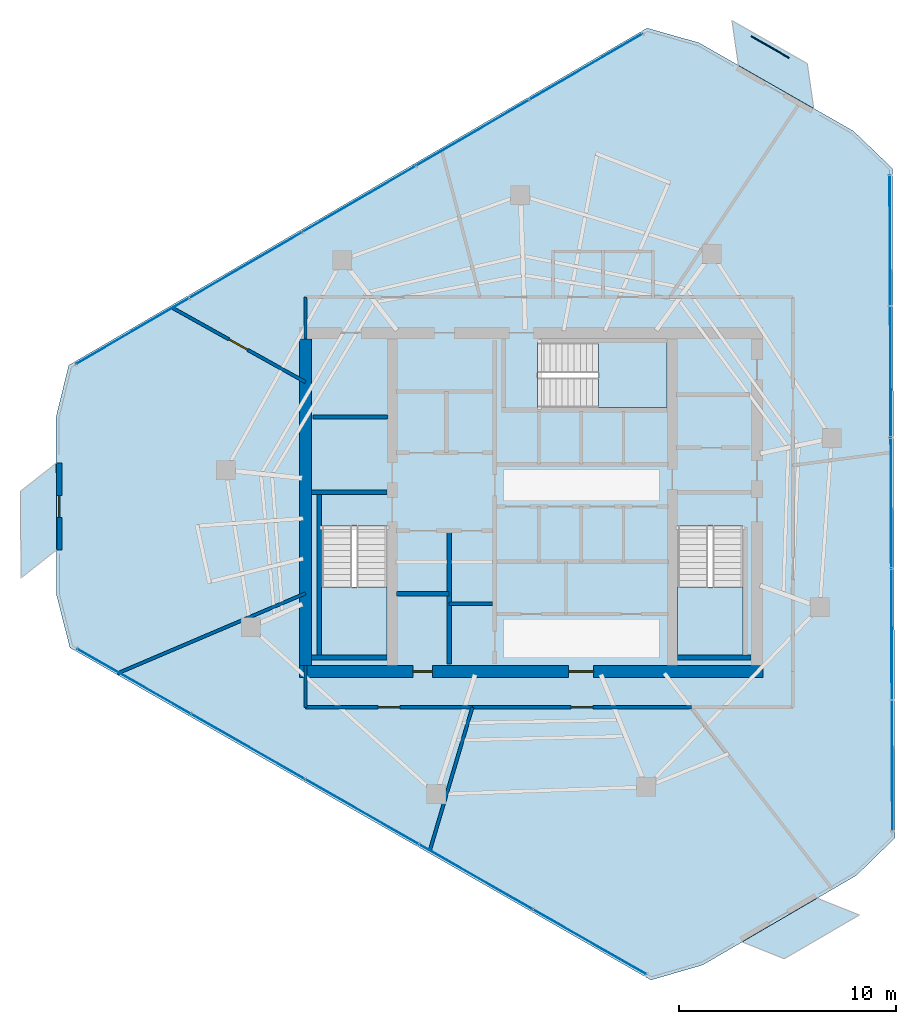
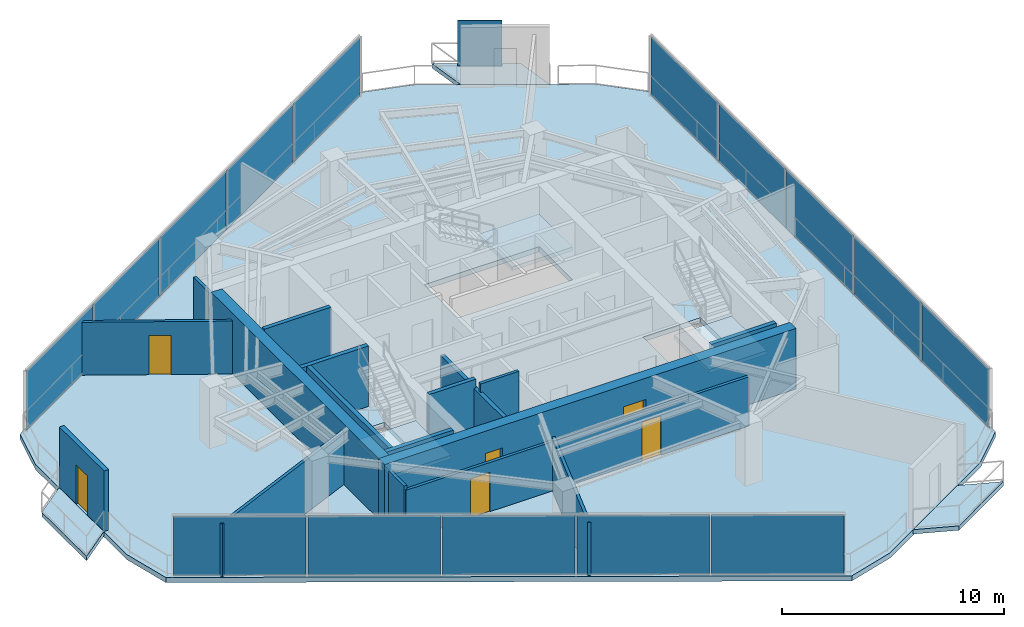
# One storey, part 14 of 19: 18 walls, 16 plates, 7 slabs, 6 doors, 6 openings, 6 elements without a shape of their own.
"""IFC4 building model written with IfcOpenShell, lengths in metres."""

from ifc_helpers import new_model, si_unit, direction, frame, frame_2d, origin, origin_2d, place, context, subcontext, project, spatial, polyline, rectangle, outline, extrude, material, layer, layer_set, type_object, element, fill, aggregate, save


model = new_model("IFC4")

# Units and contexts
model_context = context("Model", 3, precision=1e-05, world=origin(), true_north=direction((0.0, 1.0)))
body_context = subcontext(model_context, "Body", "Model", "MODEL_VIEW")
ifc_project = project(units=[si_unit("LENGTHUNIT", "METRE"), si_unit("AREAUNIT", "SQUARE_METRE"), si_unit("VOLUMEUNIT", "CUBIC_METRE"), si_unit("PLANEANGLEUNIT", "RADIAN"), si_unit("MASSUNIT", "GRAM", prefix="KILO")], contexts=[model_context])

# Site, building, storey
site_placement = place(None, origin())
site = spatial("IfcSite", under=ifc_project, at=site_placement, CompositionType="ELEMENT")
building_placement = place(site_placement, origin())
building = spatial("IfcBuilding", under=site, at=building_placement, Name="Qarnah Convention Tower", CompositionType="ELEMENT")
storey_placement = place(building_placement, frame((0.0, 0.0, 180.60009765625)))
storey = spatial("IfcBuildingStorey", under=building, at=storey_placement, Name="L48", CompositionType="ELEMENT", Elevation=180.60009765625)

# Curtain wall, plates
ifc_material_1 = material(Name="Tempered Low-E dark glass", Category="glass")
ifc_layer_1 = layer(ifc_material_1, 0.174072265625)
ifc_layer_set_1 = layer_set([ifc_layer_1], Name="Tempered Low-E dark glass")
curtain_wall_type = type_object("IfcCurtainWallType", Name="CWS-04", PredefinedType="NOTDEFINED", material=ifc_layer_set_1)
curtain_wall_1_placement = place(storey_placement, origin())
curtain_wall_1 = element("IfcCurtainWall", 1, at=curtain_wall_1_placement, inside=storey, type_object=curtain_wall_type, Name="L48 unitised curtain wall CW-L48-F1", PredefinedType="NOTDEFINED")
ifc_layer_2 = layer(ifc_material_1, 0.033935546875)
ifc_layer_set_2 = layer_set([ifc_layer_2], Name="Tempered Low-E dark glass")
plate_type_1 = type_object("IfcPlateType", Name="PNL-T4", PredefinedType="CURTAIN_PANEL", material=ifc_layer_set_2)
plate_1_placement = place(storey_placement, frame((39.894287109375, 6.1416015625, 0.0400390625), z_axis=(0.0, 0.0, 1.0), x_axis=(-0.868118952408, 0.496356207245, 0.0)))
plate_1 = element("IfcPlate", 2, at=plate_1_placement, type_object=plate_type_1, Name="CW-L48-F1 curtain panel 1.1", PredefinedType="CURTAIN_PANEL", context=body_context, shape_type="SweptSolid", body=[
    extrude(rectangle(XDim=5.966796875, YDim=0.033935546875, at=origin_2d()), origin(), (0.0, 0.0, 1.0), 3.239990234375),
])
plate_2_placement = place(storey_placement, frame((34.64501953125, 9.14306640625, 0.0400390625), z_axis=(0.0, 0.0, 1.0), x_axis=(-0.868118952408, 0.496356207245, 0.0)))
plate_2 = element("IfcPlate", 3, at=plate_2_placement, type_object=plate_type_1, Name="CW-L48-F1 curtain panel 2.1", PredefinedType="CURTAIN_PANEL", context=body_context, shape_type="SweptSolid", body=[
    extrude(rectangle(XDim=5.966796875, YDim=0.033935546875, at=origin_2d()), origin(), (0.0, 0.0, 1.0), 3.239990234375),
])
plate_3_placement = place(storey_placement, frame((29.3955078125, 12.14453125, 0.0400390625), z_axis=(0.0, 0.0, 1.0), x_axis=(-0.868118952408, 0.496356207245, 0.0)))
plate_3 = element("IfcPlate", 4, at=plate_3_placement, type_object=plate_type_1, Name="CW-L48-F1 curtain panel 3.1", PredefinedType="CURTAIN_PANEL", context=body_context, shape_type="SweptSolid", body=[
    extrude(rectangle(XDim=5.966796875, YDim=0.033935546875, at=origin_2d()), origin(), (0.0, 0.0, 1.0), 3.239990234375),
])
plate_4_placement = place(storey_placement, frame((24.14599609375, 15.14599609375, 0.0400390625), z_axis=(0.0, 0.0, 1.0), x_axis=(-0.868118952408, 0.496356207245, 0.0)))
plate_4 = element("IfcPlate", 5, at=plate_4_placement, type_object=plate_type_1, Name="CW-L48-F1 curtain panel 4.1", PredefinedType="CURTAIN_PANEL", context=body_context, shape_type="SweptSolid", body=[
    extrude(rectangle(XDim=5.966796875, YDim=0.033935546875, at=origin_2d()), origin(), (0.0, 0.0, 1.0), 3.239990234375),
])
plate_5_placement = place(storey_placement, frame((18.896728515625, 18.147216796875, 0.0400390625), z_axis=(0.0, 0.0, 1.0), x_axis=(-0.868118952408, 0.496356207245, 0.0)))
plate_5 = element("IfcPlate", 6, at=plate_5_placement, type_object=plate_type_1, Name="CW-L48-F1 curtain panel 5.1", PredefinedType="CURTAIN_PANEL", context=body_context, shape_type="SweptSolid", body=[
    extrude(rectangle(XDim=5.966796875, YDim=0.033935546875, at=origin_2d()), origin(), (0.0, 0.0, 1.0), 3.239990234375),
])
aggregate(curtain_wall_1, [plate_1, plate_2, plate_3, plate_4, plate_5])

curtain_wall_2_placement = place(storey_placement, origin())
curtain_wall_2 = element("IfcCurtainWall", 7, at=curtain_wall_2_placement, inside=storey, type_object=curtain_wall_type, Name="L48 unitised curtain wall CW-L48-F2", PredefinedType="NOTDEFINED")
plate_6_placement = place(storey_placement, frame((53.728759765625, 38.45361328125, 0.0400390625), z_axis=(0.0, 0.0, 1.0), x_axis=(0.004200384293, -0.999991178347, 0.0)))
plate_6 = element("IfcPlate", 8, at=plate_6_placement, type_object=plate_type_1, Name="CW-L48-F2 curtain panel 1.1", PredefinedType="CURTAIN_PANEL", context=body_context, shape_type="SweptSolid", body=[
    extrude(rectangle(XDim=5.967041015625, YDim=0.033935546875, at=origin_2d()), origin(), (0.0, 0.0, 1.0), 3.239990234375),
])
plate_7_placement = place(storey_placement, frame((53.754150390625, 32.406494140625, 0.0400390625), z_axis=(0.0, 0.0, 1.0), x_axis=(0.004200384293, -0.999991178347, 0.0)))
plate_7 = element("IfcPlate", 9, at=plate_7_placement, type_object=plate_type_1, Name="CW-L48-F2 curtain panel 2.1", PredefinedType="CURTAIN_PANEL", context=body_context, shape_type="SweptSolid", body=[
    extrude(rectangle(XDim=5.967041015625, YDim=0.033935546875, at=origin_2d()), origin(), (0.0, 0.0, 1.0), 3.239990234375),
])
plate_8_placement = place(storey_placement, frame((53.779541015625, 26.359619140625, 0.0400390625), z_axis=(0.0, 0.0, 1.0), x_axis=(0.004200384293, -0.999991178347, 0.0)))
plate_8 = element("IfcPlate", 10, at=plate_8_placement, type_object=plate_type_1, Name="CW-L48-F2 curtain panel 3.1", PredefinedType="CURTAIN_PANEL", context=body_context, shape_type="SweptSolid", body=[
    extrude(rectangle(XDim=5.967041015625, YDim=0.033935546875, at=origin_2d()), origin(), (0.0, 0.0, 1.0), 3.239990234375),
])
plate_9_placement = place(storey_placement, frame((53.804931640625, 20.3125, 0.0400390625), z_axis=(0.0, 0.0, 1.0), x_axis=(0.004200384293, -0.999991178347, 0.0)))
plate_9 = element("IfcPlate", 11, at=plate_9_placement, type_object=plate_type_1, Name="CW-L48-F2 curtain panel 4.1", PredefinedType="CURTAIN_PANEL", context=body_context, shape_type="SweptSolid", body=[
    extrude(rectangle(XDim=5.967041015625, YDim=0.033935546875, at=origin_2d()), origin(), (0.0, 0.0, 1.0), 3.239990234375),
])
plate_10_placement = place(storey_placement, frame((53.830322265625, 14.265380859375, 0.0400390625), z_axis=(0.0, 0.0, 1.0), x_axis=(0.004200384293, -0.999991178347, 0.0)))
plate_10 = element("IfcPlate", 12, at=plate_10_placement, type_object=plate_type_1, Name="CW-L48-F2 curtain panel 5.1", PredefinedType="CURTAIN_PANEL", context=body_context, shape_type="SweptSolid", body=[
    extrude(rectangle(XDim=5.967041015625, YDim=0.033935546875, at=origin_2d()), origin(), (0.0, 0.0, 1.0), 3.239990234375),
])
aggregate(curtain_wall_2, [plate_6, plate_7, plate_8, plate_9, plate_10])

curtain_wall_3_placement = place(storey_placement, origin())
curtain_wall_3 = element("IfcCurtainWall", 13, at=curtain_wall_3_placement, inside=storey, type_object=curtain_wall_type, Name="L48 unitised curtain wall CW-L48-F3", PredefinedType="NOTDEFINED")
plate_11_placement = place(storey_placement, frame((18.829833984375, 34.277587890625, 0.0400390625), z_axis=(0.0, 0.0, 1.0), x_axis=(0.863909634333, 0.503646844234, 0.0)))
plate_11 = element("IfcPlate", 14, at=plate_11_placement, type_object=plate_type_1, Name="CW-L48-F3 curtain panel 1.1", PredefinedType="CURTAIN_PANEL", context=body_context, shape_type="SweptSolid", body=[
    extrude(rectangle(XDim=5.966796875, YDim=0.033935546875, at=origin_2d()), origin(), (0.0, 0.0, 1.0), 3.239990234375),
])
plate_12_placement = place(storey_placement, frame((24.0537109375, 37.322998046875, 0.0400390625), z_axis=(0.0, 0.0, 1.0), x_axis=(0.863909634333, 0.503646844234, 0.0)))
plate_12 = element("IfcPlate", 15, at=plate_12_placement, type_object=plate_type_1, Name="CW-L48-F3 curtain panel 2.1", PredefinedType="CURTAIN_PANEL", context=body_context, shape_type="SweptSolid", body=[
    extrude(rectangle(XDim=5.966796875, YDim=0.033935546875, at=origin_2d()), origin(), (0.0, 0.0, 1.0), 3.239990234375),
])
plate_13_placement = place(storey_placement, frame((29.277587890625, 40.368408203125, 0.0400390625), z_axis=(0.0, 0.0, 1.0), x_axis=(0.863909634333, 0.503646844234, 0.0)))
plate_13 = element("IfcPlate", 16, at=plate_13_placement, type_object=plate_type_1, Name="CW-L48-F3 curtain panel 3.1", PredefinedType="CURTAIN_PANEL", context=body_context, shape_type="SweptSolid", body=[
    extrude(rectangle(XDim=5.966796875, YDim=0.033935546875, at=origin_2d()), origin(), (0.0, 0.0, 1.0), 3.239990234375),
])
plate_14_placement = place(storey_placement, frame((34.501220703125, 43.413818359375, 0.0400390625), z_axis=(0.0, 0.0, 1.0), x_axis=(0.863909634333, 0.503646844234, 0.0)))
plate_14 = element("IfcPlate", 17, at=plate_14_placement, type_object=plate_type_1, Name="CW-L48-F3 curtain panel 4.1", PredefinedType="CURTAIN_PANEL", context=body_context, shape_type="SweptSolid", body=[
    extrude(rectangle(XDim=5.966796875, YDim=0.033935546875, at=origin_2d()), origin(), (0.0, 0.0, 1.0), 3.239990234375),
])
plate_15_placement = place(storey_placement, frame((39.72509765625, 46.459228515625, 0.0400390625), z_axis=(0.0, 0.0, 1.0), x_axis=(0.863909634333, 0.503646844234, 0.0)))
plate_15 = element("IfcPlate", 18, at=plate_15_placement, type_object=plate_type_1, Name="CW-L48-F3 curtain panel 5.1", PredefinedType="CURTAIN_PANEL", context=body_context, shape_type="SweptSolid", body=[
    extrude(rectangle(XDim=5.966796875, YDim=0.033935546875, at=origin_2d()), origin(), (0.0, 0.0, 1.0), 3.239990234375),
])
aggregate(curtain_wall_3, [plate_11, plate_12, plate_13, plate_14, plate_15])

# Plate
ifc_material_2 = material(Name="Black anodised aluminium", Category="aluminium")
ifc_layer_3 = layer(ifc_material_2, 0.044921875)
ifc_layer_set_3 = layer_set([ifc_layer_3], Name="Black anodised aluminium")
plate_type_2 = type_object("IfcPlateType", Name="SCR-BAL-18", PredefinedType="USERDEFINED", material=ifc_layer_set_3)
plate_16_placement = place(storey_placement, frame((48.216064453125, 47.35888671875, 0.0), z_axis=(0.0, 0.0, 1.0), x_axis=(0.868089669788, -0.496407418566, 0.0)))
element("IfcPlate", 19, at=plate_16_placement, inside=storey, type_object=plate_type_2, Name="L48 perforated desert solar screen BAL-L48-C1", ObjectType="SCREEN", PredefinedType="USERDEFINED", context=body_context, shape_type="SweptSolid", body=[
    extrude(rectangle(XDim=2.0, YDim=0.044921875, at=origin_2d()), origin(), (0.0, 0.0, 1.0), 2.5),
])

# Slabs
ifc_material_3 = material(Name="Concrete C45/55", Category="concrete")
ifc_layer_4 = layer(ifc_material_3, 0.239990234375)
ifc_layer_set_4 = layer_set([ifc_layer_4], Name="Concrete C45/55")
slab_type_1 = type_object("IfcSlabType", Name="SLB-BAL-240", PredefinedType="USERDEFINED", material=ifc_layer_set_4)
slab_1_placement = place(storey_placement, frame((0.0, 0.0, -0.239990234375)))
element("IfcSlab", 20, at=slab_1_placement, inside=storey, type_object=slab_type_1, Name="L48 cantilevered balcony slab BAL-L48-C1", ObjectType="BALCONY", PredefinedType="USERDEFINED", context=body_context, shape_type="SweptSolid", body=[
    extrude(outline(polyline([(46.445068359375, 48.590087890625), (49.91796875, 46.60400390625), (50.218017578125, 44.533935546875), (46.7451171875, 46.51904296875), (46.445068359375, 48.590087890625)])), origin(), (0.0, 0.0, 1.0), 0.239990234375),
])
slab_2_placement = place(storey_placement, frame((0.0, 0.0, -0.239990234375)))
element("IfcSlab", 21, at=slab_2_placement, inside=storey, type_object=slab_type_1, Name="L48 cantilevered balcony slab BAL-L48-C2", ObjectType="BALCONY", PredefinedType="USERDEFINED", context=body_context, shape_type="SweptSolid", body=[
    extrude(outline(polyline([(13.69189453125, 22.902099609375), (13.675048828125, 26.902099609375), (15.319091796875, 28.197021484375), (15.3349609375, 24.197021484375), (13.69189453125, 22.902099609375)])), origin(), (0.0, 0.0, 1.0), 0.239990234375),
])
slab_3_placement = place(storey_placement, frame((0.0, 0.0, -0.239990234375)))
element("IfcSlab", 22, at=slab_3_placement, inside=storey, type_object=slab_type_1, Name="L48 cantilevered balcony slab BAL-L48-C3", ObjectType="BALCONY", PredefinedType="USERDEFINED", context=body_context, shape_type="SweptSolid", body=[
    extrude(outline(polyline([(52.31494140625, 7.381103515625), (48.85888671875, 5.365966796875), (46.916015625, 6.14208984375), (50.37109375, 8.156005859375), (52.31494140625, 7.381103515625)])), origin(), (0.0, 0.0, 1.0), 0.239990234375),
])

# Stair, slab
ifc_material_4 = material(Name="Concrete C50/60", Category="concrete")
stair_type = type_object("IfcStairType", Name="STR-OFF", PredefinedType="HALF_TURN_STAIR", material=ifc_material_4)
stair_1_placement = place(storey_placement, origin())
stair_1 = element("IfcStair", 23, at=stair_1_placement, inside=storey, type_object=stair_type, Name="L48 Core exit stair ST-1", PredefinedType="HALF_TURN_STAIR")
ifc_layer_5 = layer(ifc_material_4, 0.199951171875)
ifc_layer_set_5 = layer_set([ifc_layer_5], Name="Concrete C50/60")
slab_type_2 = type_object("IfcSlabType", Name="SLB-LANDING-200", PredefinedType="LANDING", material=ifc_layer_set_5)
slab_4_placement = place(storey_placement, frame((0.0, 0.0, 1.599853515625)))
slab_4 = element("IfcSlab", 24, at=slab_4_placement, type_object=slab_type_2, Name="ST-1 landing 1", PredefinedType="LANDING", context=body_context, shape_type="SweptSolid", body=[
    extrude(outline(polyline([(27.550048828125, 22.5), (27.550048828125, 19.35009765625), (30.550048828125, 19.35009765625), (30.550048828125, 22.5), (27.550048828125, 22.5)])), origin(), (0.0, 0.0, 1.0), 0.199951171875),
])
aggregate(stair_1, [slab_4])

stair_2_placement = place(storey_placement, origin())
stair_2 = element("IfcStair", 25, at=stair_2_placement, inside=storey, type_object=stair_type, Name="L48 Core exit stair ST-2", PredefinedType="HALF_TURN_STAIR")
slab_5_placement = place(storey_placement, frame((0.0, 0.0, 1.599853515625)))
slab_5 = element("IfcSlab", 26, at=slab_5_placement, type_object=slab_type_2, Name="ST-2 landing 1", PredefinedType="LANDING", context=body_context, shape_type="SweptSolid", body=[
    extrude(outline(polyline([(43.949951171875, 22.5), (43.949951171875, 19.35009765625), (46.949951171875, 19.35009765625), (46.949951171875, 22.5), (43.949951171875, 22.5)])), origin(), (0.0, 0.0, 1.0), 0.199951171875),
])
aggregate(stair_2, [slab_5])

stair_3_placement = place(storey_placement, origin())
stair_3 = element("IfcStair", 27, at=stair_3_placement, inside=storey, type_object=stair_type, Name="L48 Core exit stair ST-3", PredefinedType="HALF_TURN_STAIR")
slab_6_placement = place(storey_placement, frame((0.0, 0.0, 1.599853515625)))
slab_6 = element("IfcSlab", 28, at=slab_6_placement, type_object=slab_type_2, Name="ST-3 landing 1", PredefinedType="LANDING", context=body_context, shape_type="SweptSolid", body=[
    extrude(outline(polyline([(40.300048828125, 30.75), (43.449951171875, 30.75), (43.449951171875, 33.75), (40.300048828125, 33.75), (40.300048828125, 30.75)])), origin(), (0.0, 0.0, 1.0), 0.199951171875),
])
aggregate(stair_3, [slab_6])

# Slab
ifc_layer_6 = layer(ifc_material_3, 0.280029296875)
ifc_layer_set_6 = layer_set([ifc_layer_6], Name="Concrete C45/55")
slab_type_3 = type_object("IfcSlabType", Name="SLB-TWR-280", PredefinedType="FLOOR", material=ifc_layer_set_6)
slab_7_placement = place(storey_placement, frame((0.0, 0.0, -0.280029296875)))
element("IfcSlab", 29, at=slab_7_placement, inside=storey, type_object=slab_type_3, Name="L48 structural floor slab", PredefinedType="FLOOR", context=body_context, shape_type="SweptSolid", body=[
    extrude(outline(polyline([(42.535888671875, 48.237060546875), (15.89794921875, 32.7080078125), (15.305908203125, 30.29296875), (15.340087890625, 22.10302734375), (15.951904296875, 19.693115234375), (42.719970703125, 4.387939453125), (45.10693359375, 5.0830078125), (52.18310546875, 9.2080078125), (53.964111328125, 10.943115234375), (53.8349609375, 41.777099609375), (52.0390625, 43.4970703125), (44.928955078125, 47.56201171875), (42.535888671875, 48.237060546875)]), holes=[polyline([(27.550048828125, 25.300048828125), (27.550048828125, 19.35009765625), (30.550048828125, 19.35009765625), (30.550048828125, 25.300048828125), (27.550048828125, 25.300048828125)]), polyline([(43.949951171875, 25.300048828125), (43.949951171875, 19.35009765625), (46.949951171875, 19.35009765625), (46.949951171875, 25.300048828125), (43.949951171875, 25.300048828125)]), polyline([(37.5, 30.75), (43.449951171875, 30.75), (43.449951171875, 33.75), (37.5, 33.75), (37.5, 30.75)])]), origin(), (0.0, 0.0, 1.0), 0.280029296875),
])

# Wall, openings, doors
ifc_material_5 = material(Name="Concrete C60/75", Category="concrete")
ifc_layer_7 = layer(ifc_material_5, 0.550048828125)
ifc_layer_set_7 = layer_set([ifc_layer_7], Name="Concrete C60/75")
wall_type_1 = type_object("IfcWallType", Name="WL-CORE-550", PredefinedType="SHEAR", material=ifc_layer_set_7)
wall_1_placement = place(storey_placement, frame((26.52490234375, 18.60009765625, 0.0), z_axis=(0.0, 0.0, 1.0), x_axis=(1.0, 0.0, 0.0)))
wall_1 = element("IfcWall", 30, at=wall_1_placement, inside=storey, type_object=wall_type_1, Name="L48 core south shear wall", PredefinedType="SHEAR", context=body_context, shape_type="SweptSolid", body=[
    extrude(rectangle(XDim=21.35009765625, YDim=0.550048828125, at=frame_2d((10.675048828125, 0.0))), origin(), (0.0, 0.0, 1.0), 3.31982421875),
])
opening_1_placement = place(wall_1_placement, frame((12.39990234375, 0.0, 0.0)))
opening_1 = element("IfcOpeningElement", 31, at=opening_1_placement, cuts=wall_1, Name="Opening D-4807", PredefinedType="OPENING", context=body_context, shape_type="SweptSolid", body=[
    extrude(rectangle(XDim=1.14990234375, YDim=2.14990234375, at=frame_2d((0.574951171875, 1.074951171875))), frame((0.0, 0.284912109375, 0.0), z_axis=(0.0, -1.0, 0.0), x_axis=(1.0, 0.0, 0.0)), (0.0, 0.0, 1.0), 0.570068359375),
])
opening_2_placement = place(wall_1_placement, frame((5.22509765625, 0.0, 0.0)))
opening_2 = element("IfcOpeningElement", 32, at=opening_2_placement, cuts=wall_1, Name="Opening D-4813", PredefinedType="OPENING", context=body_context, shape_type="SweptSolid", body=[
    extrude(rectangle(XDim=0.89990234375, YDim=2.10009765625, at=frame_2d((0.449951171875, 1.050048828125))), frame((0.0, 0.284912109375, 0.0), z_axis=(0.0, -1.0, 0.0), x_axis=(1.0, 0.0, 0.0)), (0.0, 0.0, 1.0), 0.570068359375),
])
ifc_material_6 = material(Name="Structural steel S355JR", Category="steel")
door_type_1 = type_object("IfcDoorType", Name="DT-LOBBY-1150", OperationType="NOTDEFINED", PredefinedType="DOOR", material=ifc_material_6)
door_1_placement = place(opening_1_placement, origin())
door_1 = element("IfcDoor", 33, at=door_1_placement, inside=storey, type_object=door_type_1, Name="Door D-4807", OperationType="SINGLE_SWING_RIGHT", OverallHeight=2.14990234375, OverallWidth=1.14990234375, PredefinedType="DOOR", context=body_context, shape_type="SweptSolid", body=[
    extrude(rectangle(XDim=1.14990234375, YDim=2.14990234375, at=frame_2d((0.574951171875, 1.074951171875))), frame((0.0, 0.02490234375, 0.0), z_axis=(0.0, -1.0, 0.0), x_axis=(1.0, 0.0, 0.0)), (0.0, 0.0, 1.0), 0.050048828125),
])
fill(opening_1, door_1)
door_type_2 = type_object("IfcDoorType", Name="DT-RISER-900", OperationType="NOTDEFINED", PredefinedType="DOOR", material=ifc_material_6)
door_2_placement = place(opening_2_placement, origin())
door_2 = element("IfcDoor", 34, at=door_2_placement, inside=storey, type_object=door_type_2, Name="Door D-4813", OperationType="SINGLE_SWING_RIGHT", OverallHeight=2.10009765625, OverallWidth=0.89990234375, PredefinedType="DOOR", context=body_context, shape_type="SweptSolid", body=[
    extrude(rectangle(XDim=0.89990234375, YDim=2.10009765625, at=frame_2d((0.449951171875, 1.050048828125))), frame((0.0, 0.02490234375, 0.0), z_axis=(0.0, -1.0, 0.0), x_axis=(1.0, 0.0, 0.0)), (0.0, 0.0, 1.0), 0.050048828125),
])
fill(opening_2, door_2)

# Walls
wall_2_placement = place(storey_placement, frame((26.800048828125, 18.875, 0.0), z_axis=(0.0, 0.0, 1.0), x_axis=(0.0, 1.0, 0.0)))
element("IfcWall", 35, at=wall_2_placement, inside=storey, type_object=wall_type_1, Name="L48 core west shear wall", PredefinedType="SHEAR", context=body_context, shape_type="SweptSolid", body=[
    extrude(rectangle(XDim=15.050048828125, YDim=0.550048828125, at=frame_2d((7.52490234375, 0.0))), origin(), (0.0, 0.0, 1.0), 3.31982421875),
])
ifc_layer_8 = layer(ifc_material_3, 0.199951171875)
ifc_layer_set_8 = layer_set([ifc_layer_8], Name="Concrete C45/55")
wall_type_2 = type_object("IfcWallType", Name="WL-CORE-PART-200", PredefinedType="SOLIDWALL", material=ifc_layer_set_8)
wall_3_placement = place(storey_placement, frame((27.14990234375, 30.320068359375, 0.0), z_axis=(0.0, 0.0, 1.0), x_axis=(1.0, 0.0, 0.0)))
element("IfcWall", 36, at=wall_3_placement, inside=storey, type_object=wall_type_2, Name="L48 interior wall IW-L48-ELRN", PredefinedType="SOLIDWALL", context=body_context, shape_type="SweptSolid", body=[
    extrude(rectangle(XDim=3.4501953125, YDim=0.199951171875, at=frame_2d((1.72509765625, 0.0))), origin(), (0.0, 0.0, 1.0), 3.31982421875),
])
wall_4_placement = place(storey_placement, frame((33.419921875, 18.949951171875, 0.0), z_axis=(0.0, 0.0, 1.0), x_axis=(0.0, 1.0, 0.0)))
element("IfcWall", 37, at=wall_4_placement, inside=storey, type_object=wall_type_2, Name="L48 interior wall IW-L48-SVLE", PredefinedType="SOLIDWALL", context=body_context, shape_type="SweptSolid", body=[
    extrude(rectangle(XDim=6.130126953125, YDim=0.199951171875, at=frame_2d((3.06494140625, 0.0))), origin(), (0.0, 0.0, 1.0), 2.8408203125),
])
wall_5_placement = place(storey_placement, frame((31.0, 22.179931640625, 0.0), z_axis=(0.0, 0.0, 1.0), x_axis=(1.0, 0.0, 0.0)))
element("IfcWall", 38, at=wall_5_placement, inside=storey, type_object=wall_type_2, Name="L48 interior wall IW-L48-SVLS", PredefinedType="SOLIDWALL", context=body_context, shape_type="SweptSolid", body=[
    extrude(rectangle(XDim=2.419921875, YDim=0.199951171875, at=frame_2d((1.2099609375, 0.0))), origin(), (0.0, 0.0, 1.0), 3.31982421875),
])
ifc_layer_9 = layer(ifc_material_5, 0.219970703125)
ifc_layer_set_9 = layer_set([ifc_layer_9], Name="Concrete C60/75")
wall_type_3 = type_object("IfcWallType", Name="WL-CORE-STAIR-220", PredefinedType="SHEAR", material=ifc_layer_set_9)
wall_6_placement = place(storey_placement, frame((27.074951171875, 26.860107421875, 0.0), z_axis=(0.0, 0.0, 1.0), x_axis=(1.0, 0.0, 0.0)))
element("IfcWall", 39, at=wall_6_placement, inside=storey, type_object=wall_type_3, Name="L48 stair shaft shear wall SW-L48-ST1N", PredefinedType="SHEAR", context=body_context, shape_type="SweptSolid", body=[
    extrude(rectangle(XDim=3.47509765625, YDim=0.219970703125, at=frame_2d((1.737548828125, 0.0))), origin(), (0.0, 0.0, 1.0), 3.31982421875),
])
wall_7_placement = place(storey_placement, frame((27.43994140625, 19.35009765625, 0.0), z_axis=(0.0, 0.0, 1.0), x_axis=(0.0, 1.0, 0.0)))
element("IfcWall", 40, at=wall_7_placement, inside=storey, type_object=wall_type_3, Name="L48 stair shaft shear wall SW-L48-ST1W", PredefinedType="SHEAR", context=body_context, shape_type="SweptSolid", body=[
    extrude(rectangle(XDim=7.39990234375, YDim=0.219970703125, at=frame_2d((3.699951171875, 0.0))), origin(), (0.0, 0.0, 1.0), 3.31982421875),
])
wall_8_placement = place(storey_placement, frame((27.074951171875, 19.239990234375, 0.0), z_axis=(0.0, 0.0, 1.0), x_axis=(1.0, 0.0, 0.0)))
element("IfcWall", 41, at=wall_8_placement, inside=storey, type_object=wall_type_3, Name="L48 stair shaft shear wall SW-L48-ST1S", PredefinedType="SHEAR", context=body_context, shape_type="SweptSolid", body=[
    extrude(rectangle(XDim=3.47509765625, YDim=0.219970703125, at=frame_2d((1.737548828125, 0.0))), origin(), (0.0, 0.0, 1.0), 3.31982421875),
])
wall_9_placement = place(storey_placement, frame((43.949951171875, 19.239990234375, 0.0), z_axis=(0.0, 0.0, 1.0), x_axis=(1.0, 0.0, 0.0)))
element("IfcWall", 42, at=wall_9_placement, inside=storey, type_object=wall_type_3, Name="L48 stair shaft shear wall SW-L48-ST2S", PredefinedType="SHEAR", context=body_context, shape_type="SweptSolid", body=[
    extrude(rectangle(XDim=3.375, YDim=0.219970703125, at=frame_2d((1.6875, 0.0))), origin(), (0.0, 0.0, 1.0), 3.31982421875),
])

# Wall, opening, door
ifc_material_7 = material(Name="Precast concrete C45/55", Category="concrete")
ifc_layer_10 = layer(ifc_material_7, 0.239990234375)
ifc_layer_set_10 = layer_set([ifc_layer_10], Name="Precast concrete C45/55")
wall_type_4 = type_object("IfcWallType", Name="WL-EXT-BAL-240", PredefinedType="SOLIDWALL", material=ifc_layer_set_10)
wall_10_placement = place(storey_placement, frame((15.471923828125, 24.198974609375, 0.0), z_axis=(0.0, 0.0, 1.0), x_axis=(-0.004211388435, 0.999991132064, 0.0)))
wall_10 = element("IfcWall", 43, at=wall_10_placement, inside=storey, type_object=wall_type_4, Name="L48 loggia threshold wall BAL-L48-C2", PredefinedType="SOLIDWALL", context=body_context, shape_type="SweptSolid", body=[
    extrude(rectangle(XDim=4.0, YDim=0.239990234375, at=frame_2d((2.0, 0.0))), origin(), (0.0, 0.0, 1.0), 3.31982421875),
])
opening_3_placement = place(wall_10_placement, frame((1.5, 0.0, 0.0)))
opening_3 = element("IfcOpeningElement", 44, at=opening_3_placement, cuts=wall_10, Name="Opening BD-4802", PredefinedType="OPENING", context=body_context, shape_type="SweptSolid", body=[
    extrude(rectangle(XDim=1.0, YDim=2.14990234375, at=frame_2d((0.5, 1.074951171875))), frame((0.0, 0.1298828125, 0.0), z_axis=(0.0, -1.0, 0.0), x_axis=(1.0, 0.0, 0.0)), (0.0, 0.0, 1.0), 0.260009765625),
])
door_type_3 = type_object("IfcDoorType", Name="DT-BAL-1000", OperationType="NOTDEFINED", PredefinedType="DOOR", material=ifc_material_2)
door_3_placement = place(opening_3_placement, origin())
door_3 = element("IfcDoor", 45, at=door_3_placement, inside=storey, type_object=door_type_3, Name="L48 balcony terrace door BAL-L48-C2", OperationType="SINGLE_SWING_RIGHT", OverallHeight=2.14990234375, OverallWidth=1.0, PredefinedType="DOOR", context=body_context, shape_type="SweptSolid", body=[
    extrude(rectangle(XDim=1.0, YDim=2.14990234375, at=frame_2d((0.5, 1.074951171875))), frame((0.0, 0.02490234375, 0.0), z_axis=(0.0, -1.0, 0.0), x_axis=(1.0, 0.0, 0.0)), (0.0, 0.0, 1.0), 0.050048828125),
])
fill(opening_3, door_3)

# Wall
ifc_material_8 = material(Name="Gypsum partition board")
ifc_layer_11 = layer(ifc_material_8, 0.14990234375)
ifc_layer_set_11 = layer_set([ifc_layer_11], Name="Gypsum partition board")
wall_type_5 = type_object("IfcWallType", Name="WL-SUITE-150", PredefinedType="PARTITIONING", material=ifc_layer_set_11)
wall_11_placement = place(storey_placement, frame((33.419921875, 21.719970703125, 0.0), z_axis=(0.0, 0.0, 1.0), x_axis=(1.0, 0.0, 0.0)))
element("IfcWall", 46, at=wall_11_placement, inside=storey, type_object=wall_type_5, Name="L48 interior wall IW-L48-CSV1", PredefinedType="PARTITIONING", context=body_context, shape_type="SweptSolid", body=[
    extrude(rectangle(XDim=2.0, YDim=0.14990234375, at=frame_2d((1.0, 0.0))), origin(), (0.0, 0.0, 1.0), 3.31982421875),
])

# Wall, opening, door
wall_12_placement = place(storey_placement, frame((20.6201171875, 35.382080078125, 0.0), z_axis=(0.0, 0.0, 1.0), x_axis=(0.873024248024, -0.487676801132, 0.0)))
wall_12 = element("IfcWall", 47, at=wall_12_placement, inside=storey, type_object=wall_type_5, Name="L48 interior wall IW-L48-R-17", PredefinedType="PARTITIONING", context=body_context, shape_type="SweptSolid", body=[
    extrude(rectangle(XDim=7.078857421875, YDim=0.14990234375, at=frame_2d((3.53955078125, 0.0))), origin(), (0.0, 0.0, 1.0), 2.90478515625),
])
opening_4_placement = place(wall_12_placement, frame((3.0390625, 0.0, 0.0)))
opening_4 = element("IfcOpeningElement", 48, at=opening_4_placement, cuts=wall_12, Name="Opening D-4823", PredefinedType="OPENING", context=body_context, shape_type="SweptSolid", body=[
    extrude(rectangle(XDim=1.0, YDim=2.14990234375, at=frame_2d((0.5, 1.074951171875))), frame((0.0, 0.0849609375, 0.0), z_axis=(0.0, -1.0, 0.0), x_axis=(1.0, 0.0, 0.0)), (0.0, 0.0, 1.0), 0.169921875),
])
ifc_material_9 = material(Name="Oak timber veneer", Category="wood")
door_type_4 = type_object("IfcDoorType", Name="DT-OFFICE-1000", OperationType="NOTDEFINED", PredefinedType="DOOR", material=ifc_material_9)
door_4_placement = place(opening_4_placement, origin())
door_4 = element("IfcDoor", 49, at=door_4_placement, inside=storey, type_object=door_type_4, Name="Door D-4823", OperationType="SINGLE_SWING_RIGHT", OverallHeight=2.14990234375, OverallWidth=1.0, PredefinedType="DOOR", context=body_context, shape_type="SweptSolid", body=[
    extrude(rectangle(XDim=1.0, YDim=2.14990234375, at=frame_2d((0.5, 1.074951171875))), frame((0.0, 0.02490234375, 0.0), z_axis=(0.0, -1.0, 0.0), x_axis=(1.0, 0.0, 0.0)), (0.0, 0.0, 1.0), 0.050048828125),
])
fill(opening_4, door_4)

# Walls
wall_13_placement = place(storey_placement, frame((26.800048828125, 33.925048828125, 0.0), z_axis=(0.0, 0.0, 1.0), x_axis=(0.0, 1.0, 0.0)))
element("IfcWall", 50, at=wall_13_placement, inside=storey, type_object=wall_type_5, Name="L48 interior wall IW-L48-R-18", PredefinedType="PARTITIONING", context=body_context, shape_type="SweptSolid", body=[
    extrude(rectangle(XDim=1.925048828125, YDim=0.14990234375, at=frame_2d((0.96240234375, 0.0))), origin(), (0.0, 0.0, 1.0), 2.90478515625),
])
wall_14_placement = place(storey_placement, frame((18.14208984375, 18.513916015625, 0.0), z_axis=(0.0, 0.0, 1.0), x_axis=(0.920160602649, 0.391541141302, 0.0)))
element("IfcWall", 51, at=wall_14_placement, inside=storey, type_object=wall_type_5, Name="L48 interior wall IW-L48-R-20", PredefinedType="PARTITIONING", context=body_context, shape_type="SweptSolid", body=[
    extrude(rectangle(XDim=9.4091796875, YDim=0.14990234375, at=frame_2d((4.70458984375, 0.0))), origin(), (0.0, 0.0, 1.0), 2.90478515625),
])
wall_15_placement = place(storey_placement, frame((32.51806640625, 10.31103515625, 0.0), z_axis=(0.0, 0.0, 1.0), x_axis=(0.284730403607, 0.958607634677, 0.0)))
element("IfcWall", 52, at=wall_15_placement, inside=storey, type_object=wall_type_5, Name="L48 interior wall IW-L48-R-21", PredefinedType="PARTITIONING", context=body_context, shape_type="SweptSolid", body=[
    extrude(rectangle(XDim=6.925537109375, YDim=0.14990234375, at=frame_2d((3.462890625, 0.0))), origin(), (0.0, 0.0, 1.0), 2.90478515625),
])

# Wall, opening, door
wall_16_placement = place(storey_placement, frame((34.489990234375, 16.949951171875, 0.0), z_axis=(0.0, 0.0, 1.0), x_axis=(-1.0, 0.0, 0.0)))
wall_16 = element("IfcWall", 53, at=wall_16_placement, inside=storey, type_object=wall_type_5, Name="L48 interior wall IW-L48-R-22", PredefinedType="PARTITIONING", context=body_context, shape_type="SweptSolid", body=[
    extrude(rectangle(XDim=7.68994140625, YDim=0.14990234375, at=frame_2d((3.844970703125, 0.0))), origin(), (0.0, 0.0, 1.0), 2.697021484375),
])
opening_5_placement = place(wall_16_placement, frame((3.344970703125, 0.0, 0.0)))
opening_5 = element("IfcOpeningElement", 54, at=opening_5_placement, cuts=wall_16, Name="Opening D-4824", PredefinedType="OPENING", context=body_context, shape_type="SweptSolid", body=[
    extrude(rectangle(XDim=1.0, YDim=2.14990234375, at=frame_2d((0.5, 1.074951171875))), frame((0.0, 0.0849609375, 0.0), z_axis=(0.0, -1.0, 0.0), x_axis=(1.0, 0.0, 0.0)), (0.0, 0.0, 1.0), 0.169921875),
])
door_5_placement = place(opening_5_placement, origin())
door_5 = element("IfcDoor", 55, at=door_5_placement, inside=storey, type_object=door_type_4, Name="Door D-4824", OperationType="SINGLE_SWING_LEFT", OverallHeight=2.14990234375, OverallWidth=1.0, PredefinedType="DOOR", context=body_context, shape_type="SweptSolid", body=[
    extrude(rectangle(XDim=1.0, YDim=2.14990234375, at=frame_2d((0.5, 1.074951171875))), frame((0.0, 0.02490234375, 0.0), z_axis=(0.0, -1.0, 0.0), x_axis=(1.0, 0.0, 0.0)), (0.0, 0.0, 1.0), 0.050048828125),
])
fill(opening_5, door_5)

# Wall
wall_17_placement = place(storey_placement, frame((26.800048828125, 16.949951171875, 0.0), z_axis=(0.0, 0.0, 1.0), x_axis=(0.0, 1.0, 0.0)))
element("IfcWall", 56, at=wall_17_placement, inside=storey, type_object=wall_type_5, Name="L48 interior wall IW-L48-R-23", PredefinedType="PARTITIONING", context=body_context, shape_type="SweptSolid", body=[
    extrude(rectangle(XDim=1.925048828125, YDim=0.14990234375, at=frame_2d((0.96240234375, 0.0))), origin(), (0.0, 0.0, 1.0), 2.90478515625),
])

# Wall, opening, door
wall_18_placement = place(storey_placement, frame((44.5830078125, 16.949951171875, 0.0), z_axis=(0.0, 0.0, 1.0), x_axis=(-1.0, 0.0, 0.0)))
wall_18 = element("IfcWall", 57, at=wall_18_placement, inside=storey, type_object=wall_type_5, Name="L48 interior wall IW-L48-R-25", PredefinedType="PARTITIONING", context=body_context, shape_type="SweptSolid", body=[
    extrude(rectangle(XDim=10.093017578125, YDim=0.14990234375, at=frame_2d((5.04638671875, 0.0))), origin(), (0.0, 0.0, 1.0), 2.697021484375),
])
opening_6_placement = place(wall_18_placement, frame((4.5458984375, 0.0, 0.0)))
opening_6 = element("IfcOpeningElement", 58, at=opening_6_placement, cuts=wall_18, Name="Opening D-4825", PredefinedType="OPENING", context=body_context, shape_type="SweptSolid", body=[
    extrude(rectangle(XDim=1.0, YDim=2.14990234375, at=frame_2d((0.5, 1.074951171875))), frame((0.0, 0.0849609375, 0.0), z_axis=(0.0, -1.0, 0.0), x_axis=(1.0, 0.0, 0.0)), (0.0, 0.0, 1.0), 0.169921875),
])
door_6_placement = place(opening_6_placement, origin())
door_6 = element("IfcDoor", 59, at=door_6_placement, inside=storey, type_object=door_type_4, Name="Door D-4825", OperationType="SINGLE_SWING_RIGHT", OverallHeight=2.14990234375, OverallWidth=1.0, PredefinedType="DOOR", context=body_context, shape_type="SweptSolid", body=[
    extrude(rectangle(XDim=1.0, YDim=2.14990234375, at=frame_2d((0.5, 1.074951171875))), frame((0.0, 0.02490234375, 0.0), z_axis=(0.0, -1.0, 0.0), x_axis=(1.0, 0.0, 0.0)), (0.0, 0.0, 1.0), 0.050048828125),
])
fill(opening_6, door_6)

save(model, "model.ifc")
